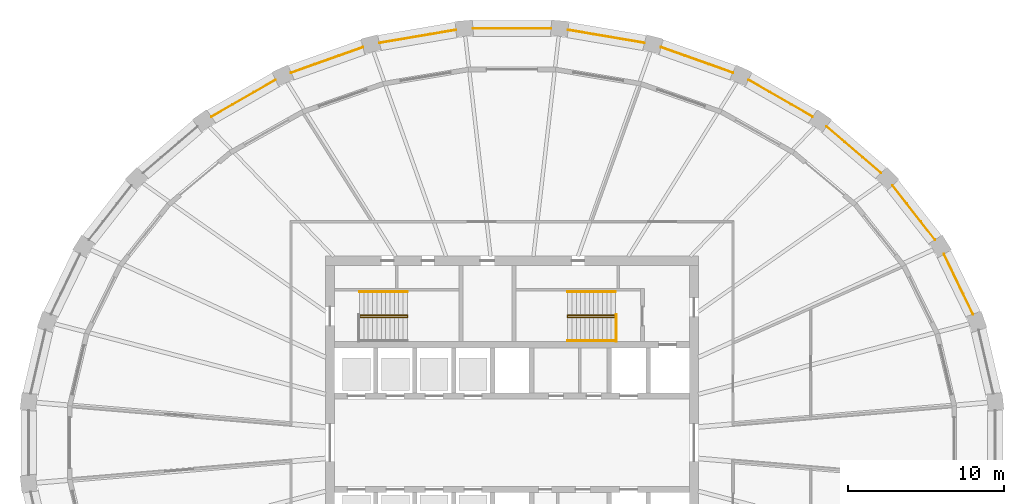
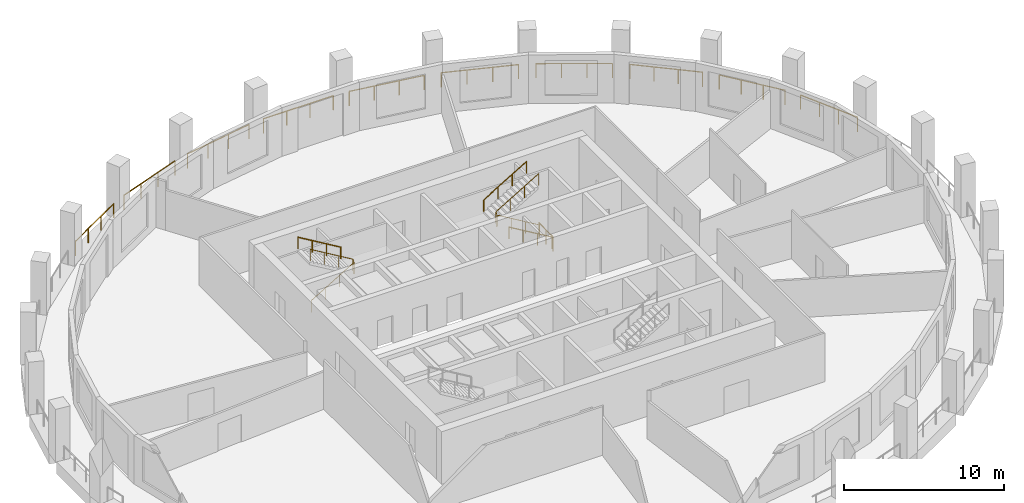
# One storey, part 9 of 10: 16 railings.
"""IFC4 building model written with IfcOpenShell, lengths in metres."""

from ifc_helpers import new_model, si_unit, direction, frame, origin, origin_2d, place, context, subcontext, project, spatial, circle, extrude, material, type_object, element, save


model = new_model("IFC4")

# Units and contexts
model_context = context("Model", 3, precision=1e-05, world=origin(), true_north=direction((0.0, 1.0)))
body_context = subcontext(model_context, "Body", "Model", "MODEL_VIEW")
ifc_project = project(units=[si_unit("LENGTHUNIT", "METRE"), si_unit("AREAUNIT", "SQUARE_METRE"), si_unit("VOLUMEUNIT", "CUBIC_METRE"), si_unit("PLANEANGLEUNIT", "RADIAN"), si_unit("MASSUNIT", "GRAM", prefix="KILO")], contexts=[model_context])

# Site, building, storey
site_placement = place(None, origin())
site = spatial("IfcSite", under=ifc_project, at=site_placement, CompositionType="ELEMENT")
building_placement = place(site_placement, origin())
building = spatial("IfcBuilding", under=site, at=building_placement, Name="Halqa Exchange Tower", CompositionType="ELEMENT")
storey_placement = place(building_placement, frame((0.0, 0.0, 242.89990234375)))
storey = spatial("IfcBuildingStorey", under=building, at=storey_placement, Name="L56", CompositionType="ELEMENT", Elevation=242.89990234375)

# Railings
ifc_material = material(Name="Stainless steel", Category="steel")
railing_type_1 = type_object("IfcRailingType", Name="Guard 1100 stainless steel", PredefinedType="GUARDRAIL", material=ifc_material)
railing_1_placement = place(storey_placement, frame((29.627197265625, 8.260986328125, 0.0)))
element("IfcRailing", 1, at=railing_1_placement, inside=storey, type_object=railing_type_1, Name="Loggia guard 2", PredefinedType="GUARDRAIL", context=body_context, shape_type="SweptSolid", body=[
    extrude(circle(Radius=0.02392578125, at=origin_2d()), frame((0.0, 0.0, 1.076171875), z_axis=(-0.435128594947, 0.900368316779, 0.0), x_axis=(-0.900368316779, -0.435128594947, 0.0)), (0.0, 0.0, 1.0), 4.281005859375),
    extrude(circle(Radius=0.02099609375, at=origin_2d()), origin(), (0.0, 0.0, 1.0), 1.052001953125),
    extrude(circle(Radius=0.02099609375, at=origin_2d()), frame((-0.620849609375, 1.284912109375, 0.0)), (0.0, 0.0, 1.0), 1.052001953125),
    extrude(circle(Radius=0.02099609375, at=origin_2d()), frame((-1.241943359375, 2.569580078125, 0.0)), (0.0, 0.0, 1.0), 1.052001953125),
    extrude(circle(Radius=0.02099609375, at=origin_2d()), frame((-1.86279296875, 3.8544921875, 0.0)), (0.0, 0.0, 1.0), 1.052001953125),
])
railing_2_placement = place(storey_placement, frame((27.18701171875, 13.044677734375, 0.0)))
element("IfcRailing", 2, at=railing_2_placement, inside=storey, type_object=railing_type_1, Name="Loggia guard 3", PredefinedType="GUARDRAIL", context=body_context, shape_type="SweptSolid", body=[
    extrude(circle(Radius=0.02392578125, at=origin_2d()), frame((0.0, 0.0, 1.076171875), z_axis=(-0.614837099367, 0.788654132838, 0.0), x_axis=(-0.788654132838, -0.614837099367, 0.0)), (0.0, 0.0, 1.0), 4.4287109375),
    extrude(circle(Radius=0.02099609375, at=origin_2d()), origin(), (0.0, 0.0, 1.0), 1.052001953125),
    extrude(circle(Radius=0.02099609375, at=origin_2d()), frame((-0.90771484375, 1.164306640625, 0.0)), (0.0, 0.0, 1.0), 1.052001953125),
    extrude(circle(Radius=0.02099609375, at=origin_2d()), frame((-1.815185546875, 2.328369140625, 0.0)), (0.0, 0.0, 1.0), 1.052001953125),
    extrude(circle(Radius=0.02099609375, at=origin_2d()), frame((-2.722900390625, 3.49267578125, 0.0)), (0.0, 0.0, 1.0), 1.052001953125),
])
railing_3_placement = place(storey_placement, frame((23.70849609375, 17.3291015625, 0.0)))
element("IfcRailing", 3, at=railing_3_placement, inside=storey, type_object=railing_type_1, Name="Loggia guard 4", PredefinedType="GUARDRAIL", context=body_context, shape_type="SweptSolid", body=[
    extrude(circle(Radius=0.02392578125, at=origin_2d()), frame((0.0, 0.0, 1.076171875), z_axis=(-0.759260350244, 0.650787000905, 0.0), x_axis=(-0.650787000905, -0.759260350244, 0.0)), (0.0, 0.0, 1.0), 4.59814453125),
    extrude(circle(Radius=0.02099609375, at=origin_2d()), origin(), (0.0, 0.0, 1.0), 1.052001953125),
    extrude(circle(Radius=0.02099609375, at=origin_2d()), frame((-1.163818359375, 0.99755859375, 0.0)), (0.0, 0.0, 1.0), 1.052001953125),
    extrude(circle(Radius=0.02099609375, at=origin_2d()), frame((-2.327392578125, 1.994873046875, 0.0)), (0.0, 0.0, 1.0), 1.052001953125),
    extrude(circle(Radius=0.02099609375, at=origin_2d()), frame((-3.4912109375, 2.992431640625, 0.0)), (0.0, 0.0, 1.0), 1.052001953125),
])
railing_4_placement = place(storey_placement, frame((19.322509765625, 20.952880859375, 0.0)))
element("IfcRailing", 4, at=railing_4_placement, inside=storey, type_object=railing_type_1, Name="Loggia guard 5", PredefinedType="GUARDRAIL", context=body_context, shape_type="SweptSolid", body=[
    extrude(circle(Radius=0.02392578125, at=origin_2d()), frame((0.0, 0.0, 1.076171875), z_axis=(-0.867760081541, 0.496983340651, 0.0), x_axis=(-0.496983340651, -0.867760081541, 0.0)), (0.0, 0.0, 1.0), 4.7626953125),
    extrude(circle(Radius=0.02099609375, at=origin_2d()), origin(), (0.0, 0.0, 1.0), 1.052001953125),
    extrude(circle(Radius=0.02099609375, at=origin_2d()), frame((-1.377685546875, 0.7890625, 0.0)), (0.0, 0.0, 1.0), 1.052001953125),
    extrude(circle(Radius=0.02099609375, at=origin_2d()), frame((-2.755126953125, 1.577880859375, 0.0)), (0.0, 0.0, 1.0), 1.052001953125),
    extrude(circle(Radius=0.02099609375, at=origin_2d()), frame((-4.1328125, 2.366943359375, 0.0)), (0.0, 0.0, 1.0), 1.052001953125),
])
railing_5_placement = place(storey_placement, frame((14.194091796875, 23.777099609375, 0.0)))
element("IfcRailing", 5, at=railing_5_placement, inside=storey, type_object=railing_type_1, Name="Loggia guard 6", PredefinedType="GUARDRAIL", context=body_context, shape_type="SweptSolid", body=[
    extrude(circle(Radius=0.02392578125, at=origin_2d()), frame((0.0, 0.0, 1.076171875), z_axis=(-0.942363882557, 0.334589768002, 0.0), x_axis=(-0.334589768002, -0.942363882557, 0.0)), (0.0, 0.0, 1.0), 4.898193359375),
    extrude(circle(Radius=0.02099609375, at=origin_2d()), origin(), (0.0, 0.0, 1.0), 1.052001953125),
    extrude(circle(Radius=0.02099609375, at=origin_2d()), frame((-1.53857421875, 0.54638671875, 0.0)), (0.0, 0.0, 1.0), 1.052001953125),
    extrude(circle(Radius=0.02099609375, at=origin_2d()), frame((-3.077392578125, 1.092529296875, 0.0)), (0.0, 0.0, 1.0), 1.052001953125),
    extrude(circle(Radius=0.02099609375, at=origin_2d()), frame((-4.615966796875, 1.638916015625, 0.0)), (0.0, 0.0, 1.0), 1.052001953125),
])
railing_6_placement = place(storey_placement, frame((8.517578125, 25.6923828125, 0.0)))
element("IfcRailing", 6, at=railing_6_placement, inside=storey, type_object=railing_type_1, Name="Loggia guard 7", PredefinedType="GUARDRAIL", context=body_context, shape_type="SweptSolid", body=[
    extrude(circle(Radius=0.02392578125, at=origin_2d()), frame((0.0, 0.0, 1.076171875), z_axis=(-0.985769089501, 0.16810503319, 0.0), x_axis=(-0.16810503319, -0.985769089501, 0.0)), (0.0, 0.0, 1.0), 4.9873046875),
    extrude(circle(Radius=0.02099609375, at=origin_2d()), origin(), (0.0, 0.0, 1.0), 1.052001953125),
    extrude(circle(Radius=0.02099609375, at=origin_2d()), frame((-1.638671875, 0.279541015625, 0.0)), (0.0, 0.0, 1.0), 1.052001953125),
    extrude(circle(Radius=0.02099609375, at=origin_2d()), frame((-3.277587890625, 0.558837890625, 0.0)), (0.0, 0.0, 1.0), 1.052001953125),
    extrude(circle(Radius=0.02099609375, at=origin_2d()), frame((-4.916259765625, 0.83837890625, 0.0)), (0.0, 0.0, 1.0), 1.052001953125),
])
railing_7_placement = place(storey_placement, frame((2.50927734375, 26.623046875, 0.0)))
element("IfcRailing", 7, at=railing_7_placement, inside=storey, type_object=railing_type_1, Name="Loggia guard 8", PredefinedType="GUARDRAIL", context=body_context, shape_type="SweptSolid", body=[
    extrude(circle(Radius=0.02392578125, at=origin_2d()), frame((0.0, 0.0, 1.076171875), z_axis=(-1.0, 0.0, 0.0), x_axis=(0.0, -1.0, 0.0)), (0.0, 0.0, 1.0), 5.0185546875),
    extrude(circle(Radius=0.02099609375, at=origin_2d()), origin(), (0.0, 0.0, 1.0), 1.052001953125),
    extrude(circle(Radius=0.02099609375, at=origin_2d()), frame((-1.6728515625, 0.0, 0.0)), (0.0, 0.0, 1.0), 1.052001953125),
    extrude(circle(Radius=0.02099609375, at=origin_2d()), frame((-3.345703125, 0.0, 0.0)), (0.0, 0.0, 1.0), 1.052001953125),
    extrude(circle(Radius=0.02099609375, at=origin_2d()), frame((-5.0185546875, 0.0, 0.0)), (0.0, 0.0, 1.0), 1.052001953125),
])
railing_8_placement = place(storey_placement, frame((-3.601318359375, 26.53076171875, 0.0)))
element("IfcRailing", 8, at=railing_8_placement, inside=storey, type_object=railing_type_1, Name="Loggia guard 9", PredefinedType="GUARDRAIL", context=body_context, shape_type="SweptSolid", body=[
    extrude(circle(Radius=0.02392578125, at=origin_2d()), frame((0.0, 0.0, 1.076171875), z_axis=(-0.985769089501, -0.16810503319, 0.0), x_axis=(0.16810503319, -0.985769089501, 0.0)), (0.0, 0.0, 1.0), 4.9873046875),
    extrude(circle(Radius=0.02099609375, at=origin_2d()), origin(), (0.0, 0.0, 1.0), 1.052001953125),
    extrude(circle(Radius=0.02099609375, at=origin_2d()), frame((-1.638671875, -0.279541015625, 0.0)), (0.0, 0.0, 1.0), 1.052001953125),
    extrude(circle(Radius=0.02099609375, at=origin_2d()), frame((-3.277587890625, -0.558837890625, 0.0)), (0.0, 0.0, 1.0), 1.052001953125),
    extrude(circle(Radius=0.02099609375, at=origin_2d()), frame((-4.916259765625, -0.83837890625, 0.0)), (0.0, 0.0, 1.0), 1.052001953125),
])
railing_9_placement = place(storey_placement, frame((-9.578125, 25.416015625, 0.0)))
element("IfcRailing", 9, at=railing_9_placement, inside=storey, type_object=railing_type_1, Name="Loggia guard 10", PredefinedType="GUARDRAIL", context=body_context, shape_type="SweptSolid", body=[
    extrude(circle(Radius=0.02392578125, at=origin_2d()), frame((0.0, 0.0, 1.076171875), z_axis=(-0.942363882557, -0.334589768002, 0.0), x_axis=(0.334589768002, -0.942363882557, 0.0)), (0.0, 0.0, 1.0), 4.898193359375),
    extrude(circle(Radius=0.02099609375, at=origin_2d()), origin(), (0.0, 0.0, 1.0), 1.052001953125),
    extrude(circle(Radius=0.02099609375, at=origin_2d()), frame((-1.53857421875, -0.54638671875, 0.0)), (0.0, 0.0, 1.0), 1.052001953125),
    extrude(circle(Radius=0.02099609375, at=origin_2d()), frame((-3.077392578125, -1.092529296875, 0.0)), (0.0, 0.0, 1.0), 1.052001953125),
    extrude(circle(Radius=0.02099609375, at=origin_2d()), frame((-4.615966796875, -1.638916015625, 0.0)), (0.0, 0.0, 1.0), 1.052001953125),
])
railing_10_placement = place(storey_placement, frame((-15.189697265625, 23.31982421875, 0.0)))
element("IfcRailing", 10, at=railing_10_placement, inside=storey, type_object=railing_type_1, Name="Loggia guard 11", PredefinedType="GUARDRAIL", context=body_context, shape_type="SweptSolid", body=[
    extrude(circle(Radius=0.02392578125, at=origin_2d()), frame((0.0, 0.0, 1.076171875), z_axis=(-0.867760081541, -0.496983340651, 0.0), x_axis=(0.496983340651, -0.867760081541, 0.0)), (0.0, 0.0, 1.0), 4.7626953125),
    extrude(circle(Radius=0.02099609375, at=origin_2d()), origin(), (0.0, 0.0, 1.0), 1.052001953125),
    extrude(circle(Radius=0.02099609375, at=origin_2d()), frame((-1.377685546875, -0.7890625, 0.0)), (0.0, 0.0, 1.0), 1.052001953125),
    extrude(circle(Radius=0.02099609375, at=origin_2d()), frame((-2.755126953125, -1.577880859375, 0.0)), (0.0, 0.0, 1.0), 1.052001953125),
    extrude(circle(Radius=0.02099609375, at=origin_2d()), frame((-4.1328125, -2.366943359375, 0.0)), (0.0, 0.0, 1.0), 1.052001953125),
])
railing_type_2 = type_object("IfcRailingType", Name="Stair handrail 900", PredefinedType="HANDRAIL", material=ifc_material)
railing_11_placement = place(storey_placement, frame((-9.800048828125, 8.06005859375, 0.166748046875)))
element("IfcRailing", 11, at=railing_11_placement, inside=storey, type_object=railing_type_2, Name="Handrail ST1.1", PredefinedType="HANDRAIL", context=body_context, shape_type="SweptSolid", body=[
    extrude(circle(Radius=0.02392578125, at=origin_2d()), frame((0.0, 0.0, 0.8759765625), z_axis=(0.859308565015, 0.0, 0.511457515432), x_axis=(0.0, 1.0, 0.0)), (0.0, 0.0, 1.0), 3.58447265625),
    extrude(circle(Radius=0.02392578125, at=origin_2d()), frame((3.080078125, 0.0, 2.708984375), z_axis=(0.0, 0.614500226555, 0.788916644243), x_axis=(-1.0, 0.0, 0.0)), (0.0, 0.0, 1.0), 0.21142578125),
    extrude(circle(Radius=0.02392578125, at=origin_2d()), frame((3.080078125, 0.1298828125, 2.8759765625), z_axis=(-0.859308565015, 0.0, 0.511457515432), x_axis=(0.0, -1.0, 0.0)), (0.0, 0.0, 1.0), 3.58447265625),
    extrude(circle(Radius=0.02099609375, at=origin_2d()), origin(), (0.0, 0.0, 1.0), 0.851806640625),
    extrude(circle(Radius=0.02099609375, at=origin_2d()), frame((1.026611328125, 0.0, 0.611083984375)), (0.0, 0.0, 1.0), 0.851806640625),
    extrude(circle(Radius=0.02099609375, at=origin_2d()), frame((2.053466796875, 0.0, 1.22216796875)), (0.0, 0.0, 1.0), 0.851806640625),
    extrude(circle(Radius=0.02099609375, at=origin_2d()), frame((3.080078125, 0.0, 1.833251953125)), (0.0, 0.0, 1.0), 0.851806640625),
    extrude(circle(Radius=0.02099609375, at=origin_2d()), frame((3.080078125, 0.1298828125, 2.0)), (0.0, 0.0, 1.0), 0.851806640625),
    extrude(circle(Radius=0.02099609375, at=origin_2d()), frame((2.053466796875, 0.1298828125, 2.611083984375)), (0.0, 0.0, 1.0), 0.851806640625),
    extrude(circle(Radius=0.02099609375, at=origin_2d()), frame((1.026611328125, 0.1298828125, 3.22216796875)), (0.0, 0.0, 1.0), 0.851806640625),
    extrude(circle(Radius=0.02099609375, at=origin_2d()), frame((0.0, 0.1298828125, 3.833251953125)), (0.0, 0.0, 1.0), 0.851806640625),
])
railing_12_placement = place(storey_placement, frame((-6.719970703125, 9.699951171875, 2.166748046875)))
element("IfcRailing", 12, at=railing_12_placement, inside=storey, type_object=railing_type_2, Name="Handrail ST1.3", PredefinedType="HANDRAIL", context=body_context, shape_type="SweptSolid", body=[
    extrude(circle(Radius=0.02392578125, at=origin_2d()), frame((0.0, 0.0, 0.8759765625), z_axis=(-0.859308565015, 0.0, 0.511457515432), x_axis=(0.0, -1.0, 0.0)), (0.0, 0.0, 1.0), 3.58447265625),
    extrude(circle(Radius=0.02099609375, at=origin_2d()), origin(), (0.0, 0.0, 1.0), 0.851806640625),
    extrude(circle(Radius=0.02099609375, at=origin_2d()), frame((-1.026611328125, 0.0, 0.611083984375)), (0.0, 0.0, 1.0), 0.851806640625),
    extrude(circle(Radius=0.02099609375, at=origin_2d()), frame((-2.053466796875, 0.0, 1.22216796875)), (0.0, 0.0, 1.0), 0.851806640625),
    extrude(circle(Radius=0.02099609375, at=origin_2d()), frame((-3.080078125, 0.0, 1.833251953125)), (0.0, 0.0, 1.0), 0.851806640625),
])
railing_13_placement = place(storey_placement, frame((6.64990234375, 8.06005859375, 0.166748046875)))
element("IfcRailing", 13, at=railing_13_placement, inside=storey, type_object=railing_type_2, Name="Handrail ST2.1", PredefinedType="HANDRAIL", context=body_context, shape_type="SweptSolid", body=[
    extrude(circle(Radius=0.02392578125, at=origin_2d()), frame((0.0, 0.0, 0.8759765625), z_axis=(-0.859290745958, 0.0, 0.51148745235), x_axis=(0.0, -1.0, 0.0)), (0.0, 0.0, 1.0), 3.584228515625),
    extrude(circle(Radius=0.02392578125, at=origin_2d()), frame((-3.079833984375, 0.0, 2.708984375), z_axis=(0.0, 0.614500226555, 0.788916644243), x_axis=(-1.0, 0.0, 0.0)), (0.0, 0.0, 1.0), 0.21142578125),
    extrude(circle(Radius=0.02392578125, at=origin_2d()), frame((-3.079833984375, 0.1298828125, 2.8759765625), z_axis=(0.859290745958, 0.0, 0.51148745235), x_axis=(0.0, 1.0, 0.0)), (0.0, 0.0, 1.0), 3.584228515625),
    extrude(circle(Radius=0.02099609375, at=origin_2d()), origin(), (0.0, 0.0, 1.0), 0.851806640625),
    extrude(circle(Radius=0.02099609375, at=origin_2d()), frame((-1.026611328125, 0.0, 0.611083984375)), (0.0, 0.0, 1.0), 0.851806640625),
    extrude(circle(Radius=0.02099609375, at=origin_2d()), frame((-2.05322265625, 0.0, 1.22216796875)), (0.0, 0.0, 1.0), 0.851806640625),
    extrude(circle(Radius=0.02099609375, at=origin_2d()), frame((-3.079833984375, 0.0, 1.833251953125)), (0.0, 0.0, 1.0), 0.851806640625),
    extrude(circle(Radius=0.02099609375, at=origin_2d()), frame((-3.079833984375, 0.1298828125, 2.0)), (0.0, 0.0, 1.0), 0.851806640625),
    extrude(circle(Radius=0.02099609375, at=origin_2d()), frame((-2.05322265625, 0.1298828125, 2.611083984375)), (0.0, 0.0, 1.0), 0.851806640625),
    extrude(circle(Radius=0.02099609375, at=origin_2d()), frame((-1.026611328125, 0.1298828125, 3.22216796875)), (0.0, 0.0, 1.0), 0.851806640625),
    extrude(circle(Radius=0.02099609375, at=origin_2d()), frame((0.0, 0.1298828125, 3.833251953125)), (0.0, 0.0, 1.0), 0.851806640625),
])
railing_14_placement = place(storey_placement, frame((6.64990234375, 6.550048828125, 0.166748046875)))
element("IfcRailing", 14, at=railing_14_placement, inside=storey, type_object=railing_type_2, Name="Handrail ST2.2", PredefinedType="HANDRAIL", context=body_context, shape_type="SweptSolid", body=[
    extrude(circle(Radius=0.02392578125, at=origin_2d()), frame((0.0, 0.0, 0.8759765625), z_axis=(-0.859290745958, 0.0, 0.51148745235), x_axis=(0.0, -1.0, 0.0)), (0.0, 0.0, 1.0), 3.584228515625),
    extrude(circle(Radius=0.02099609375, at=origin_2d()), origin(), (0.0, 0.0, 1.0), 0.851806640625),
    extrude(circle(Radius=0.02099609375, at=origin_2d()), frame((-1.026611328125, 0.0, 0.611083984375)), (0.0, 0.0, 1.0), 0.851806640625),
    extrude(circle(Radius=0.02099609375, at=origin_2d()), frame((-2.05322265625, 0.0, 1.22216796875)), (0.0, 0.0, 1.0), 0.851806640625),
    extrude(circle(Radius=0.02099609375, at=origin_2d()), frame((-3.079833984375, 0.0, 1.833251953125)), (0.0, 0.0, 1.0), 0.851806640625),
])
railing_15_placement = place(storey_placement, frame((3.570068359375, 9.699951171875, 2.166748046875)))
element("IfcRailing", 15, at=railing_15_placement, inside=storey, type_object=railing_type_2, Name="Handrail ST2.3", PredefinedType="HANDRAIL", context=body_context, shape_type="SweptSolid", body=[
    extrude(circle(Radius=0.02392578125, at=origin_2d()), frame((0.0, 0.0, 0.8759765625), z_axis=(0.859290745958, 0.0, 0.51148745235), x_axis=(0.0, 1.0, 0.0)), (0.0, 0.0, 1.0), 3.584228515625),
    extrude(circle(Radius=0.02099609375, at=origin_2d()), origin(), (0.0, 0.0, 1.0), 0.851806640625),
    extrude(circle(Radius=0.02099609375, at=origin_2d()), frame((1.026611328125, 0.0, 0.611083984375)), (0.0, 0.0, 1.0), 0.851806640625),
    extrude(circle(Radius=0.02099609375, at=origin_2d()), frame((2.05322265625, 0.0, 1.22216796875)), (0.0, 0.0, 1.0), 0.851806640625),
    extrude(circle(Radius=0.02099609375, at=origin_2d()), frame((3.079833984375, 0.0, 1.833251953125)), (0.0, 0.0, 1.0), 0.851806640625),
])
railing_type_3 = type_object("IfcRailingType", Name="Stair well guard 1100", PredefinedType="GUARDRAIL", material=ifc_material)
railing_16_placement = place(storey_placement, frame((6.699951171875, 6.5, 0.0)))
element("IfcRailing", 16, at=railing_16_placement, inside=storey, type_object=railing_type_3, Name="Guard ST2 well", PredefinedType="GUARDRAIL", context=body_context, shape_type="SweptSolid", body=[
    extrude(circle(Radius=0.02392578125, at=origin_2d()), frame((0.0, 0.0, 1.076171875), z_axis=(0.0, 1.0, 0.0), x_axis=(-1.0, 0.0, 0.0)), (0.0, 0.0, 1.0), 1.75),
    extrude(circle(Radius=0.02099609375, at=origin_2d()), origin(), (0.0, 0.0, 1.0), 1.052001953125),
    extrude(circle(Radius=0.02099609375, at=origin_2d()), frame((0.0, 0.875, 0.0)), (0.0, 0.0, 1.0), 1.052001953125),
    extrude(circle(Radius=0.02099609375, at=origin_2d()), frame((0.0, 1.75, 0.0)), (0.0, 0.0, 1.0), 1.052001953125),
])

save(model, "model.ifc")
